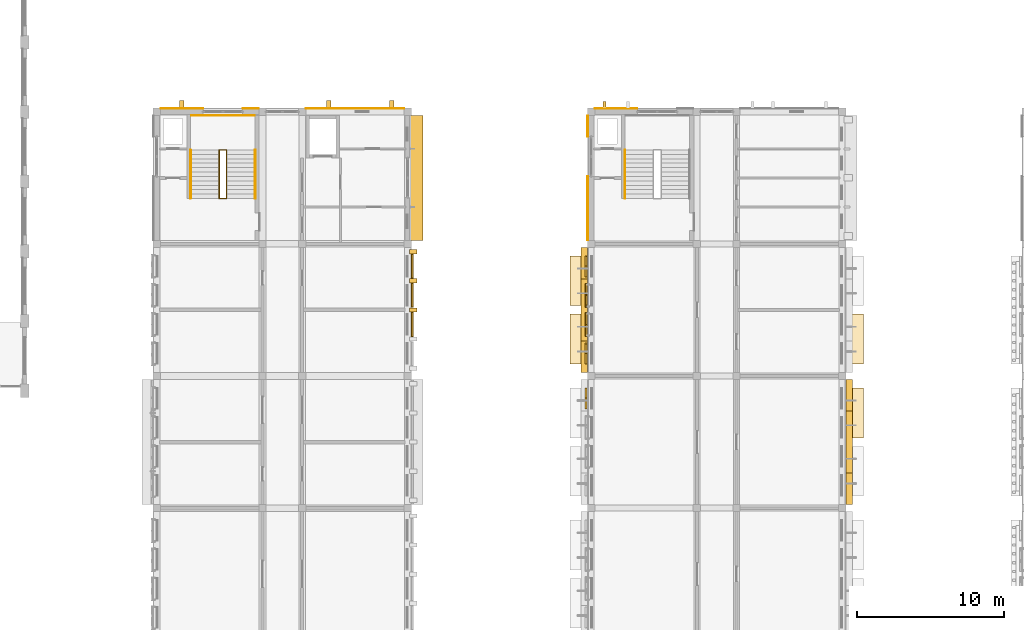
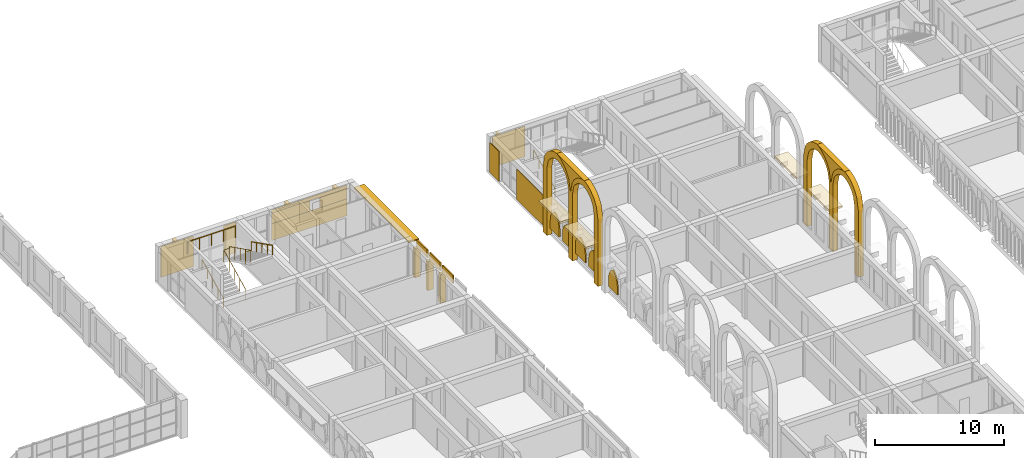
# One storey, part 60 of 70: 27 coverings, 6 shading devices, 5 railings.
"""IFC4 building model written with IfcOpenShell, lengths in metres."""

from ifc_helpers import new_model, si_unit, direction, frame, origin, origin_2d, place, context, subcontext, project, spatial, polyline, rectangle, circle, outline, extrude, material, layer, layer_set, type_object, element, save


model = new_model("IFC4")

# Units and contexts
model_context = context("Model", 3, precision=1e-05, world=origin(), true_north=direction((0.0, 1.0)))
body_context = subcontext(model_context, "Body", "Model", "MODEL_VIEW")
ifc_project = project(units=[si_unit("LENGTHUNIT", "METRE"), si_unit("AREAUNIT", "SQUARE_METRE"), si_unit("VOLUMEUNIT", "CUBIC_METRE"), si_unit("PLANEANGLEUNIT", "RADIAN"), si_unit("MASSUNIT", "GRAM", prefix="KILO")], contexts=[model_context])

# Site, building, storey
site_placement = place(None, origin())
site = spatial("IfcSite", under=ifc_project, at=site_placement, CompositionType="ELEMENT")
building_placement = place(site_placement, origin())
building = spatial("IfcBuilding", under=site, at=building_placement, Name="Elbe Cascade School", CompositionType="ELEMENT")
storey_placement = place(building_placement, frame((0.0, 0.0, 8.10009765625)))
storey = spatial("IfcBuildingStorey", under=building, at=storey_placement, Name="L02", CompositionType="ELEMENT", Elevation=8.10009765625)

# Railings
ifc_material_1 = material(Name="Steel S355J2H, painted", Category="steel")
railing_type_1 = type_object("IfcRailingType", Name="Bar stair guard 1100", PredefinedType="GUARDRAIL", material=ifc_material_1)
railing_1_placement = place(storey_placement, frame((73.25, 54.10009765625, 0.14990234375)))
element("IfcRailing", 1, at=railing_1_placement, inside=storey, type_object=railing_type_1, Name="Stair guard A2.N", PredefinedType="GUARDRAIL", context=body_context, shape_type="SweptSolid", body=[
    extrude(circle(Radius=0.02392578125, at=origin_2d()), frame((0.0, 0.0, 1.09619140625), z_axis=(0.0, 0.894427191, 0.4472135955), x_axis=(-1.0, 0.0, 0.0)), (0.0, 0.0, 1.0), 3.689208984375),
    extrude(circle(Radius=0.02392578125, at=origin_2d()), frame((0.0, 3.2998046875, 2.74609375), z_axis=(1.0, 0.0, 0.0), x_axis=(0.0, 1.0, 0.0)), (0.0, 0.0, 1.0), 0.5),
    extrude(circle(Radius=0.02392578125, at=origin_2d()), frame((0.5, 3.2998046875, 2.74609375), z_axis=(0.0, 0.0, 1.0), x_axis=(1.0, 0.0, 0.0)), (0.0, 0.0, 1.0), 0.150146484375),
    extrude(circle(Radius=0.02392578125, at=origin_2d()), frame((0.5, 3.2998046875, 2.89599609375), z_axis=(0.0, -0.894427191, 0.4472135955), x_axis=(1.0, 0.0, 0.0)), (0.0, 0.0, 1.0), 3.689208984375),
    extrude(circle(Radius=0.02392578125, at=origin_2d()), frame((0.5, 0.0, 4.5458984375), z_axis=(-1.0, 0.0, 0.0), x_axis=(0.0, -1.0, 0.0)), (0.0, 0.0, 1.0), 0.5),
    extrude(circle(Radius=0.02099609375, at=origin_2d()), origin(), (0.0, 0.0, 1.0), 1.072021484375),
    extrude(circle(Radius=0.02099609375, at=origin_2d()), frame((0.0, 0.824951171875, 0.41259765625)), (0.0, 0.0, 1.0), 1.072021484375),
    extrude(circle(Radius=0.02099609375, at=origin_2d()), frame((0.0, 1.64990234375, 0.824951171875)), (0.0, 0.0, 1.0), 1.072021484375),
    extrude(circle(Radius=0.02099609375, at=origin_2d()), frame((0.0, 2.474853515625, 1.2373046875)), (0.0, 0.0, 1.0), 1.072021484375),
    extrude(circle(Radius=0.02099609375, at=origin_2d()), frame((0.0, 3.2998046875, 1.64990234375)), (0.0, 0.0, 1.0), 1.072021484375),
    extrude(circle(Radius=0.02099609375, at=origin_2d()), frame((0.5, 3.2998046875, 1.64990234375)), (0.0, 0.0, 1.0), 1.072021484375),
    extrude(circle(Radius=0.02099609375, at=origin_2d()), frame((0.5, 3.2998046875, 1.800048828125)), (0.0, 0.0, 1.0), 1.072021484375),
    extrude(circle(Radius=0.02099609375, at=origin_2d()), frame((0.5, 2.474853515625, 2.21240234375)), (0.0, 0.0, 1.0), 1.072021484375),
    extrude(circle(Radius=0.02099609375, at=origin_2d()), frame((0.5, 1.64990234375, 2.625)), (0.0, 0.0, 1.0), 1.072021484375),
    extrude(circle(Radius=0.02099609375, at=origin_2d()), frame((0.5, 0.824951171875, 3.03759765625)), (0.0, 0.0, 1.0), 1.072021484375),
    extrude(circle(Radius=0.02099609375, at=origin_2d()), frame((0.5, 0.0, 3.449951171875)), (0.0, 0.0, 1.0), 1.072021484375),
    extrude(circle(Radius=0.02099609375, at=origin_2d()), frame((0.0, 0.0, 3.449951171875)), (0.0, 0.0, 1.0), 1.072021484375),
])
railing_2_placement = place(storey_placement, frame((71.360107421875, 59.760009765625, 1.7998046875)))
element("IfcRailing", 2, at=railing_2_placement, inside=storey, type_object=railing_type_1, Name="Stair guard A2.N", PredefinedType="GUARDRAIL", context=body_context, shape_type="SweptSolid", body=[
    extrude(circle(Radius=0.02392578125, at=origin_2d()), frame((0.0, 0.0, 1.09619140625), z_axis=(1.0, 0.0, 0.0), x_axis=(0.0, 1.0, 0.0)), (0.0, 0.0, 1.0), 4.27978515625),
    extrude(circle(Radius=0.02099609375, at=origin_2d()), origin(), (0.0, 0.0, 1.0), 1.072021484375),
    extrude(circle(Radius=0.02099609375, at=origin_2d()), frame((1.06982421875, 0.0, 0.0)), (0.0, 0.0, 1.0), 1.072021484375),
    extrude(circle(Radius=0.02099609375, at=origin_2d()), frame((2.139892578125, 0.0, 0.0)), (0.0, 0.0, 1.0), 1.072021484375),
    extrude(circle(Radius=0.02099609375, at=origin_2d()), frame((3.2099609375, 0.0, 0.0)), (0.0, 0.0, 1.0), 1.072021484375),
    extrude(circle(Radius=0.02099609375, at=origin_2d()), frame((4.27978515625, 0.0, 0.0)), (0.0, 0.0, 1.0), 1.072021484375),
])
ifc_material_2 = material(Name="Steel S355J2H, painted", Category="steel")
railing_type_2 = type_object("IfcRailingType", Name="Bar stair handrail 900", PredefinedType="HANDRAIL", material=ifc_material_2)
railing_3_placement = place(storey_placement, frame((71.300048828125, 54.10009765625, 0.14990234375)))
element("IfcRailing", 3, at=railing_3_placement, inside=storey, type_object=railing_type_2, Name="Stair handrail A2.N", PredefinedType="HANDRAIL", context=body_context, shape_type="SweptSolid", body=[
    extrude(circle(Radius=0.02392578125, at=origin_2d()), frame((0.0, 0.0, 0.8759765625), z_axis=(0.0, 0.894427191, 0.4472135955), x_axis=(-1.0, 0.0, 0.0)), (0.0, 0.0, 1.0), 3.689208984375),
    extrude(circle(Radius=0.02099609375, at=origin_2d()), origin(), (0.0, 0.0, 1.0), 0.851806640625),
    extrude(circle(Radius=0.02099609375, at=origin_2d()), frame((0.0, 0.824951171875, 0.41259765625)), (0.0, 0.0, 1.0), 0.851806640625),
    extrude(circle(Radius=0.02099609375, at=origin_2d()), frame((0.0, 1.64990234375, 0.824951171875)), (0.0, 0.0, 1.0), 0.851806640625),
    extrude(circle(Radius=0.02099609375, at=origin_2d()), frame((0.0, 2.474853515625, 1.2373046875)), (0.0, 0.0, 1.0), 0.851806640625),
    extrude(circle(Radius=0.02099609375, at=origin_2d()), frame((0.0, 3.2998046875, 1.64990234375)), (0.0, 0.0, 1.0), 0.851806640625),
])
railing_4_placement = place(storey_placement, frame((75.699951171875, 57.39990234375, 1.949951171875)))
element("IfcRailing", 4, at=railing_4_placement, inside=storey, type_object=railing_type_2, Name="Stair handrail A2.N", PredefinedType="HANDRAIL", context=body_context, shape_type="SweptSolid", body=[
    extrude(circle(Radius=0.02392578125, at=origin_2d()), frame((0.0, 0.0, 0.8759765625), z_axis=(0.0, -0.894427191, 0.4472135955), x_axis=(1.0, 0.0, 0.0)), (0.0, 0.0, 1.0), 3.689208984375),
    extrude(circle(Radius=0.02099609375, at=origin_2d()), origin(), (0.0, 0.0, 1.0), 0.851806640625),
    extrude(circle(Radius=0.02099609375, at=origin_2d()), frame((0.0, -0.824951171875, 0.41259765625)), (0.0, 0.0, 1.0), 0.851806640625),
    extrude(circle(Radius=0.02099609375, at=origin_2d()), frame((0.0, -1.64990234375, 0.824951171875)), (0.0, 0.0, 1.0), 0.851806640625),
    extrude(circle(Radius=0.02099609375, at=origin_2d()), frame((0.0, -2.474853515625, 1.2373046875)), (0.0, 0.0, 1.0), 0.851806640625),
    extrude(circle(Radius=0.02099609375, at=origin_2d()), frame((0.0, -3.2998046875, 1.64990234375)), (0.0, 0.0, 1.0), 0.851806640625),
])
railing_5_placement = place(storey_placement, frame((100.89990234375, 54.10009765625, 0.14990234375)))
element("IfcRailing", 5, at=railing_5_placement, inside=storey, type_object=railing_type_2, Name="Stair handrail B2.N", PredefinedType="HANDRAIL", context=body_context, shape_type="SweptSolid", body=[
    extrude(circle(Radius=0.02392578125, at=origin_2d()), frame((0.0, 0.0, 0.8759765625), z_axis=(0.0, 0.894427191, 0.4472135955), x_axis=(-1.0, 0.0, 0.0)), (0.0, 0.0, 1.0), 3.689208984375),
    extrude(circle(Radius=0.02099609375, at=origin_2d()), origin(), (0.0, 0.0, 1.0), 0.851806640625),
    extrude(circle(Radius=0.02099609375, at=origin_2d()), frame((0.0, 0.824951171875, 0.41259765625)), (0.0, 0.0, 1.0), 0.851806640625),
    extrude(circle(Radius=0.02099609375, at=origin_2d()), frame((0.0, 1.64990234375, 0.824951171875)), (0.0, 0.0, 1.0), 0.851806640625),
    extrude(circle(Radius=0.02099609375, at=origin_2d()), frame((0.0, 2.474853515625, 1.2373046875)), (0.0, 0.0, 1.0), 0.851806640625),
    extrude(circle(Radius=0.02099609375, at=origin_2d()), frame((0.0, 3.2998046875, 1.64990234375)), (0.0, 0.0, 1.0), 0.851806640625),
])

# Shading devices
ifc_material_3 = material(Name="Precast concrete C30/37", Category="concrete")
ifc_layer_1 = layer(ifc_material_3, 0.1201171875)
ifc_layer_set_1 = layer_set([ifc_layer_1], Name="Precast concrete C30/37")
shading_device_type_1 = type_object("IfcShadingDeviceType", Name="Bars envelope Chhajja eave, precast concrete, 900 x 120", PredefinedType="USERDEFINED", material=ifc_layer_set_1)
shading_device_1_placement = place(storey_placement, frame((86.669921875, 55.5, 2.729736328125), z_axis=(0.0, 0.0, 1.0), x_axis=(0.0, 1.0, 0.0)))
element("IfcShadingDevice", 6, at=shading_device_1_placement, inside=storey, type_object=shading_device_type_1, Name="Chhajja eave SD2 A.L02.e6", ObjectType="CHHAJJA", PredefinedType="USERDEFINED", context=body_context, shape_type="SweptSolid", body=[
    extrude(rectangle(XDim=8.5, YDim=0.89990234375, at=origin_2d()), origin(), (0.0, 0.0, 1.0), 0.1201171875),
])
ifc_material_4 = material(Name="Precast concrete C40/50", Category="concrete")
ifc_layer_2 = layer(ifc_material_4, 0.10009765625)
ifc_layer_set_2 = layer_set([ifc_layer_2], Name="Precast concrete C40/50")
shading_device_type_2 = type_object("IfcShadingDeviceType", Name="Bars envelope Jali screen 1400 x 1940, pointed arch rise 1200, pierced precast concrete", PredefinedType="USERDEFINED", material=ifc_layer_set_2)
shading_device_2_placement = place(storey_placement, frame((98.199951171875, 39.77001953125, 1.33984375), z_axis=(-1.0, 0.0, 0.0), x_axis=(0.0, 0.17792317593, 0.984044380842)))
element("IfcShadingDevice", 7, at=shading_device_2_placement, inside=storey, type_object=shading_device_type_2, Name="Jali screen SD5 B.L02.w4.4", ObjectType="JALI", PredefinedType="USERDEFINED", context=body_context, shape_type="SweptSolid", body=[
    extrude(outline(polyline([(0.0, 0.0), (0.49123641871346896, 0.0), (0.6927805522414701, 0.052626805310662106), (0.8431090177286255, 0.11426571806572286), (0.9656124771118364, 0.18118371597428135), (1.069333371826684, 0.25124965415180983), (1.1586395539315395, 0.3239218888517511), (1.236937894644108, 0.3988325294290419), (1.305342743464475, 0.47528389408648153), (1.26808313808694, 0.5710883451184476), (1.2209300408172035, 0.6684335202305626), (1.1627256638798062, 0.7677768560098606), (1.0901500126077905, 0.8699667335217378), (0.9987917966674117, 0.9753045513025852), (0.8796085746230882, 1.0859214542369302), (0.7092096845379191, 1.2055504646156736), (0.24907507099190854, 1.377566035094913), (-0.4791081610228598, 1.5092274477521288), (-0.7281832320147683, 0.13166141265721568), (0.0, 0.0)])), origin(), (0.0, 0.0, -1.0), 0.10009765625),
])
shading_device_3_placement = place(storey_placement, frame((98.199951171875, 42.830078125, 1.33984375), z_axis=(-1.0, 0.0, 0.0), x_axis=(0.0, 0.17792317593, 0.984044380842)))
element("IfcShadingDevice", 8, at=shading_device_3_placement, inside=storey, type_object=shading_device_type_2, Name="Jali screen SD5 B.L02.w5.1", ObjectType="JALI", PredefinedType="USERDEFINED", context=body_context, shape_type="SweptSolid", body=[
    extrude(outline(polyline([(0.0, 0.0), (0.49123641871346896, 0.0), (0.6927371139660965, 0.05238656010049558), (0.8431090177286255, 0.11426571806572286), (0.9655690388364628, 0.18094347076411482), (1.069333371826684, 0.25124965415180983), (1.1586395539315395, 0.3239218888517511), (1.2368944563687345, 0.3985922842188754), (1.305342743464475, 0.47528389408648153), (1.2680396998115664, 0.5708480999082811), (1.2209300408172035, 0.6684335202305626), (1.1627256638798062, 0.7677768560098606), (1.090106574332417, 0.8697264883115714), (0.9987917966674117, 0.9753045513025852), (0.8795651363477146, 1.0856812090267636), (0.7092096845379191, 1.2055504646156736), (0.24907507099190854, 1.377566035094913), (-0.4791081610228598, 1.5092274477521288), (-0.7281832320147683, 0.13166141265721568), (0.0, 0.0)])), origin(), (0.0, 0.0, -1.0), 0.10009765625),
])
shading_device_4_placement = place(storey_placement, frame((98.199951171875, 48.77001953125, 1.33984375), z_axis=(-1.0, 0.0, 0.0), x_axis=(0.0, 0.17792317593, 0.984044380842)))
element("IfcShadingDevice", 9, at=shading_device_4_placement, inside=storey, type_object=shading_device_type_2, Name="Jali screen SD5 B.L02.w5.4", ObjectType="JALI", PredefinedType="USERDEFINED", context=body_context, shape_type="SweptSolid", body=[
    extrude(outline(polyline([(0.0, 0.0), (0.49123641871346896, 0.0), (0.6927805522414701, 0.052626805310662106), (0.8431090177286255, 0.11426571806572286), (0.9656124771118364, 0.18118371597428135), (1.069333371826684, 0.25124965415180983), (1.1586395539315395, 0.3239218888517511), (1.236937894644108, 0.3988325294290419), (1.305342743464475, 0.47528389408648153), (1.26808313808694, 0.5710883451184476), (1.2209300408172035, 0.6684335202305626), (1.1627256638798062, 0.7677768560098606), (1.0901500126077905, 0.8699667335217378), (0.9987917966674117, 0.9753045513025852), (0.8796085746230882, 1.0859214542369302), (0.7092096845379191, 1.2055504646156736), (0.24907507099190854, 1.377566035094913), (-0.4791081610228598, 1.5092274477521288), (-0.7281832320147683, 0.13166141265721568), (0.0, 0.0)])), origin(), (0.0, 0.0, -1.0), 0.10009765625),
])
ifc_material_5 = material(Name="Precast concrete C40/50", Category="concrete")
ifc_layer_3 = layer(ifc_material_5, 0.10009765625)
ifc_layer_set_3 = layer_set([ifc_layer_3], Name="Precast concrete C40/50")
shading_device_type_3 = type_object("IfcShadingDeviceType", Name="Bars envelope Jali screen 1600 x 1940, pointed arch rise 1200, pierced precast concrete", PredefinedType="USERDEFINED", material=ifc_layer_set_3)
for number, where, z_axis, x_axis, name in (
    (10, (98.199951171875, 44.7099609375, 1.33984375), (-1.0, 0.0, 0.0), (0.0, 0.196300278283, 0.98054382908), "Jali screen SD4 B.L02.w5.2"),
    (11, (98.199951171875, 46.68994140625, 1.33984375), (-1.0, 0.0, 0.0), (0.0, 0.196300278283, 0.98054382908), "Jali screen SD4 B.L02.w5.3"),
):
    element("IfcShadingDevice", number, at=place(storey_placement, frame(where, z_axis=z_axis, x_axis=x_axis)), inside=storey, type_object=shading_device_type_3, Name=name, ObjectType="JALI", PredefinedType="USERDEFINED", context=body_context, shape_type="SweptSolid", body=[
        extrude(outline(polyline([(0.0, 0.0), (0.509921112317134, 0.0), (0.7186409460062186, 0.06005009918221829), (0.8735458233318658, 0.1311226852889124), (0.9985268777485877, 0.20818588047405348), (1.102872417131342, 0.2891312241218946), (1.1919448840573539, 0.37338315020117196), (1.268281725197354, 0.45993570394643946), (1.3336545243794973, 0.5489321924158467), (1.3075801207519657, 0.6562359822289878), (1.270445825421322, 0.7655049255997259), (1.220671754049922, 0.877553277802997), (1.1555287604765243, 0.9924294312711612), (1.069846101614414, 1.1116665143685687), (0.9542396198433787, 1.2368942065444228), (0.7847223319636507, 1.37266560447821), (0.31409961520112845, 1.5689658827607584), (-0.41149324269448634, 1.7142261716949392), (-0.7255928578956148, 0.1452602889341807), (0.0, 0.0)])), origin(), (0.0, 0.0, -1.0), 0.10009765625),
    ])

# Coverings
ifc_material_6 = material(Name="Precast concrete C40/50", Category="concrete")
covering_type_1 = type_object("IfcCoveringType", Name="Bars envelope Precast concrete fin, 300 wide, 500 deep", PredefinedType="CLADDING", material=ifc_material_6)
for number, where, z_axis, x_axis, name in (
    (12, (86.469970703125, 46.5, 0.0), (0.0, 0.0, 1.0), (0.0, 1.0, 0.0), "Fin CV51 A.L02.e5.3"),
    (13, (86.469970703125, 48.47998046875, 0.0), (0.0, 0.0, 1.0), (0.0, 1.0, 0.0), "Fin CV51 A.L02.e5.4"),
    (14, (86.469970703125, 50.4599609375, 0.0), (0.0, 0.0, 1.0), (0.0, 1.0, 0.0), "Fin CV51 A.L02.e5.5"),
):
    element("IfcCovering", number, at=place(storey_placement, frame(where, z_axis=z_axis, x_axis=x_axis)), inside=storey, type_object=covering_type_1, Name=name, PredefinedType="CLADDING", context=body_context, shape_type="SweptSolid", body=[
        extrude(rectangle(XDim=0.300048828125, YDim=0.5, at=origin_2d()), origin(), (0.0, 0.0, 1.0), 2.72998046875),
    ])
ifc_material_7 = material(Name="Precast concrete C40/50", Category="concrete")
covering_type_2 = type_object("IfcCoveringType", Name="Bars envelope Precast concrete gable fin, 200 wide, 450 deep", PredefinedType="CLADDING", material=ifc_material_7)
covering_1_placement = place(storey_placement, frame((99.5, 60.485107421875, 0.0), z_axis=(0.0, 0.0, 1.0), x_axis=(1.0, 0.0, 0.0)))
element("IfcCovering", 15, at=covering_1_placement, inside=storey, type_object=covering_type_2, Name="Fin CV57 B.L02.n.1", PredefinedType="CLADDING", context=body_context, shape_type="SweptSolid", body=[
    extrude(rectangle(XDim=0.199951171875, YDim=0.449951171875, at=origin_2d()), origin(), (0.0, 0.0, 1.0), 2.89990234375),
])
ifc_material_8 = material(Name="Precast concrete C40/50", Category="concrete")
covering_type_3 = type_object("IfcCoveringType", Name="Bars envelope Precast concrete gable fin, 300 wide, 500 deep", PredefinedType="CLADDING", material=ifc_material_8)
for number, where, z_axis, x_axis, name in (
    (16, (70.699951171875, 60.510009765625, 0.0), (0.0, 0.0, 1.0), (1.0, 0.0, 0.0), "Fin CV50 A.L02.n.1"),
    (17, (80.699951171875, 60.510009765625, 0.0), (0.0, 0.0, 1.0), (1.0, 0.0, 0.0), "Fin CV50 A.L02.n.2"),
    (18, (85.0, 60.510009765625, 0.0), (0.0, 0.0, 1.0), (1.0, 0.0, 0.0), "Fin CV50 A.L02.n.3"),
):
    element("IfcCovering", number, at=place(storey_placement, frame(where, z_axis=z_axis, x_axis=x_axis)), inside=storey, type_object=covering_type_3, Name=name, PredefinedType="CLADDING", context=body_context, shape_type="SweptSolid", body=[
        extrude(rectangle(XDim=0.300048828125, YDim=0.5, at=origin_2d()), origin(), (0.0, 0.0, 1.0), 2.89990234375),
    ])
ifc_material_9 = material(Name="Sandstone - red", Category="masonry")
covering_type_4 = type_object("IfcCoveringType", Name="Bars envelope Sandstone arch frame double, 8500 wide, 450 deep", PredefinedType="CLADDING", material=ifc_material_9)
covering_2_placement = place(storey_placement, frame((97.89990234375, 42.25, 0.0), z_axis=(-1.0, 0.0, 0.0), x_axis=(0.0, 0.0, 1.0)))
element("IfcCovering", 19, at=covering_2_placement, inside=storey, type_object=covering_type_4, Name="Arch frame CV58 B.L02.w5", PredefinedType="CLADDING", context=body_context, shape_type="SweptSolid", body=[
    extrude(outline(polyline([(0.0, 0.0), (6.2998046875, 0.0), (7.401611328125, 0.265625), (7.81201171875, 0.53125), (8.093994140625, 0.796875), (8.302001953125, 1.0625), (8.458251953125, 1.328125), (8.572998046875, 1.59375), (8.65234375, 1.859375), (8.699951171875, 2.125), (8.65234375, 2.390625), (8.572998046875, 2.65625), (8.458251953125, 2.921875), (8.302001953125, 3.1875), (8.093994140625, 3.453125), (7.81201171875, 3.71875), (7.401611328125, 3.984375), (6.2998046875, 4.25), (7.401611328125, 4.515625), (7.81201171875, 4.78125), (8.093994140625, 5.046875), (8.302001953125, 5.3125), (8.458251953125, 5.578125), (8.572998046875, 5.84375), (8.65234375, 6.109375), (8.699951171875, 6.375), (8.65234375, 6.640625), (8.572998046875, 6.90625), (8.458251953125, 7.171875), (8.302001953125, 7.4375), (8.093994140625, 7.703125), (7.81201171875, 7.96875), (7.401611328125, 8.234375), (6.2998046875, 8.5), (0.0, 8.5), (0.0, 7.919921875), (6.2998046875, 7.919921875), (7.152099609375, 7.708740234375), (7.467529296875, 7.49755859375), (7.6826171875, 7.2861328125), (7.839599609375, 7.074951171875), (7.955078125, 6.86376953125), (8.03759765625, 6.652587890625), (8.091796875, 6.441162109375), (8.119873046875, 6.22998046875), (8.091796875, 6.018798828125), (8.03759765625, 5.8076171875), (7.955078125, 5.59619140625), (7.839599609375, 5.385009765625), (7.6826171875, 5.173583984375), (7.467529296875, 4.96240234375), (7.152099609375, 4.751220703125), (6.2998046875, 4.5400390625), (0.0, 4.5400390625), (0.0, 3.9599609375), (6.2998046875, 3.9599609375), (7.152099609375, 3.748779296875), (7.467529296875, 3.53759765625), (7.6826171875, 3.326171875), (7.839599609375, 3.114990234375), (7.955078125, 2.90380859375), (8.03759765625, 2.6923828125), (8.091796875, 2.481201171875), (8.119873046875, 2.27001953125), (8.091796875, 2.05859375), (8.03759765625, 1.847412109375), (7.955078125, 1.63623046875), (7.839599609375, 1.425048828125), (7.6826171875, 1.213623046875), (7.467529296875, 1.00244140625), (7.152099609375, 0.791259765625), (6.2998046875, 0.580078125), (0.0, 0.580078125), (0.0, 0.0)])), origin(), (0.0, 0.0, -1.0), 0.449951171875),
])
covering_3_placement = place(storey_placement, frame((116.39990234375, 33.830078125, 0.0), z_axis=(1.0, 0.0, 0.0), x_axis=(0.0, 0.0, 1.0)))
element("IfcCovering", 20, at=covering_3_placement, inside=storey, type_object=covering_type_4, Name="Arch frame CV58 B.L02.e4", PredefinedType="CLADDING", context=body_context, shape_type="SweptSolid", body=[
    extrude(outline(polyline([(0.0, 0.0), (6.2998046875, 0.0), (7.152099609375, -0.211181640625), (7.467529296875, -0.42236328125), (7.6826171875, -0.633544921875), (7.839599609375, -0.844970703125), (7.955078125, -1.05615234375), (8.03759765625, -1.267333984375), (8.091796875, -1.478515625), (8.119873046875, -1.68994140625), (8.091796875, -1.901123046875), (8.03759765625, -2.1123046875), (7.955078125, -2.32373046875), (7.839599609375, -2.534912109375), (7.6826171875, -2.74609375), (7.467529296875, -2.95751953125), (7.152099609375, -3.168701171875), (6.2998046875, -3.3798828125), (0.0, -3.3798828125), (0.0, -3.9599609375), (6.2998046875, -3.9599609375), (7.152099609375, -4.171142578125), (7.467529296875, -4.38232421875), (7.6826171875, -4.593505859375), (7.839599609375, -4.804931640625), (7.955078125, -5.01611328125), (8.03759765625, -5.2275390625), (8.091796875, -5.438720703125), (8.119873046875, -5.64990234375), (8.091796875, -5.861083984375), (8.03759765625, -6.072509765625), (7.955078125, -6.28369140625), (7.839599609375, -6.494873046875), (7.6826171875, -6.7060546875), (7.467529296875, -6.91748046875), (7.152099609375, -7.128662109375), (6.2998046875, -7.33984375), (0.0, -7.33984375), (0.0, -7.919921875), (6.2998046875, -7.919921875), (7.401611328125, -7.654296875), (7.81201171875, -7.388671875), (8.093994140625, -7.123046875), (8.302001953125, -6.857421875), (8.458251953125, -6.591796875), (8.572998046875, -6.326171875), (8.65234375, -6.060546875), (8.699951171875, -5.794921875), (8.65234375, -5.529296875), (8.572998046875, -5.263671875), (8.458251953125, -4.998046875), (8.302001953125, -4.732421875), (8.093994140625, -4.466796875), (7.81201171875, -4.201171875), (7.401611328125, -3.935546875), (6.2998046875, -3.669921875), (7.401611328125, -3.404296875), (7.81201171875, -3.138671875), (8.093994140625, -2.873046875), (8.302001953125, -2.607421875), (8.458251953125, -2.341796875), (8.572998046875, -2.076171875), (8.65234375, -1.810546875), (8.699951171875, -1.544921875), (8.65234375, -1.279296875), (8.572998046875, -1.013671875), (8.458251953125, -0.748046875), (8.302001953125, -0.482421875), (8.093994140625, -0.216796875), (7.81201171875, 0.048828125), (7.401611328125, 0.314453125), (6.2998046875, 0.580078125), (0.0, 0.580078125), (0.0, 0.0)])), origin(), (0.0, 0.0, -1.0), 0.449951171875),
])
ifc_material_10 = material(Name="Sandstone - red", Category="masonry")
covering_type_5 = type_object("IfcCoveringType", Name="Bars envelope Sandstone arch spandrel, 4250 wide, 450 deep", PredefinedType="CLADDING", material=ifc_material_10)
covering_4_placement = place(storey_placement, frame((97.89990234375, 46.5, 6.2998046875), z_axis=(-1.0, 0.0, 0.0), x_axis=(0.0, -0.234366782856, 0.972148245431)))
element("IfcCovering", 21, at=covering_4_placement, inside=storey, type_object=covering_type_5, Name="Arch spandrel CV59 B.L02.w5", PredefinedType="CLADDING", context=body_context, shape_type="SweptSolid", body=[
    extrude(outline(polyline([(0.0, 0.0), (1.1333730691834654, 0.0), (1.5945967655496798, -0.16204265845893395), (1.9309791589138199, -0.3541822231146897), (2.19544726556764, -0.5636589789826831), (2.409599105612259, -0.7852660468539583), (2.583402996017424, -1.0166002517089971), (2.722792458788938, -1.2562311322266582), (2.8313276071302806, -1.5033004116142559), (1.8352687799928786, 2.628329631465795), (1.851240985043711, 2.358945155468387), (1.8363588756643723, 2.082122280601041), (1.7870623386513826, 1.7970027300710736), (1.697417851998939, 1.5021560425573424), (1.557457098737294, 1.1951790430403295), (1.3455820587653293, 0.8708648523110788), (1.00886571579129, 0.5164537553850064), (0.0, 0.0)])), origin(), (0.0, 0.0, -1.0), 0.449951171875),
])
covering_5_placement = place(storey_placement, frame((116.39990234375, 37.765625, 7.401611328125), z_axis=(1.0, 0.0, 0.0), x_axis=(0.0, 0.543354809623, 0.839503157147)))
element("IfcCovering", 22, at=covering_5_placement, inside=storey, type_object=covering_type_5, Name="Arch spandrel CV59 B.L02.e4", PredefinedType="CLADDING", context=body_context, shape_type="SweptSolid", body=[
    extrude(outline(polyline([(0.0, 0.0), (0.4888610449301034, 2.7755575615628914e-17), (0.8699147996601779, -0.06977652096230302), (1.1888666362712244, -0.17974750171848036), (1.4643676258814988, -0.31784133883208776), (1.7050259551609652, -0.47848652302476646), (1.9159655447465072, -0.658366679726065), (2.100260747020255, -0.8554919841937122), (-0.20899719387665017, 2.71239643368101), (-0.10463515353828501, 2.4635356859143167), (-0.02691750051171382, 2.197429790381275), (0.0210814128209329, 1.9120889223396134), (0.03423766582277166, 1.6041967072188805), (0.003943071823838462, 1.2681816357407176), (-0.08845344029412289, 0.8919721044686806), (-0.2886572426121132, 0.44598605223434024), (-1.0692987746762668, -0.37567891134076503), (0.0, 0.0)])), origin(), (0.0, 0.0, -1.0), 0.449951171875),
])
ifc_material_11 = material(Name="Sandstone - red", Category="masonry")
covering_type_6 = type_object("IfcCoveringType", Name="Bars envelope Sandstone chhajja slab, 1200 deep", PredefinedType="CLADDING", material=ifc_material_11)
for number, where, z_axis, x_axis, name in (
    (23, (97.75, 44.52001953125, 3.419921875), (0.0, 0.0, 1.0), (0.0, 1.0, 0.0), "Chhajja slab CV61 B.L02.w4.1"),
    (24, (97.75, 48.47998046875, 3.419921875), (0.0, 0.0, 1.0), (0.0, 1.0, 0.0), "Chhajja slab CV61 B.L02.w4.2"),
    (25, (116.550048828125, 39.47998046875, 3.419921875), (0.0, 0.0, 1.0), (0.0, 1.0, 0.0), "Chhajja slab CV61 B.L02.e3.2"),
    (26, (116.550048828125, 44.52001953125, 3.419921875), (0.0, 0.0, 1.0), (0.0, 1.0, 0.0), "Chhajja slab CV61 B.L02.e4.1"),
):
    element("IfcCovering", number, at=place(storey_placement, frame(where, z_axis=z_axis, x_axis=x_axis)), inside=storey, type_object=covering_type_6, Name=name, PredefinedType="CLADDING", context=body_context, shape_type="SweptSolid", body=[
        extrude(rectangle(XDim=3.3798828125, YDim=1.199951171875, at=origin_2d()), origin(), (0.0, 0.0, 1.0), 0.179931640625),
    ])
ifc_material_12 = material(Name="Sandstone - red", Category="masonry")
ifc_layer_4 = layer(ifc_material_12, 0.0400390625)
ifc_layer_set_4 = layer_set([ifc_layer_4], Name="Sandstone - red")
covering_type_7 = type_object("IfcCoveringType", Name="Bars envelope Sandstone cladding, red, 40 mm", PredefinedType="CLADDING", material=ifc_layer_set_4)
covering_6_placement = place(storey_placement, frame((70.699951171875, 60.239990234375, 0.0), z_axis=(0.0, 0.0, 1.0), x_axis=(1.0, 0.0, 0.0)))
element("IfcCovering", 27, at=covering_6_placement, inside=storey, type_object=covering_type_7, Name="Sandstone cladding CV48 A.L02.n.1a.1", PredefinedType="CLADDING", context=body_context, shape_type="SweptSolid", body=[
    extrude(rectangle(XDim=2.89990234375, YDim=0.0400390625, at=origin_2d()), origin(), (0.0, 0.0, 1.0), 2.89990234375),
])
covering_7_placement = place(storey_placement, frame((75.39990234375, 60.239990234375, 0.0), z_axis=(0.0, 0.0, 1.0), x_axis=(1.0, 0.0, 0.0)))
element("IfcCovering", 28, at=covering_7_placement, inside=storey, type_object=covering_type_7, Name="Sandstone cladding CV48 A.L02.n.1b.1", PredefinedType="CLADDING", context=body_context, shape_type="SweptSolid", body=[
    extrude(rectangle(XDim=1.10009765625, YDim=0.0400390625, at=origin_2d()), origin(), (0.0, 0.0, 1.0), 2.89990234375),
])
covering_8_placement = place(storey_placement, frame((82.5, 60.239990234375, -0.000244140625), z_axis=(0.0, 0.0, 1.0), x_axis=(1.0, 0.0, 0.0)))
element("IfcCovering", 29, at=covering_8_placement, inside=storey, type_object=covering_type_7, Name="Sandstone cladding CV48 A.L02.n.3.1", PredefinedType="CLADDING", context=body_context, shape_type="SweptSolid", body=[
    extrude(rectangle(XDim=6.699951171875, YDim=0.0400390625, at=origin_2d()), origin(), (0.0, 0.0, 1.0), 1.60009765625),
])
covering_9_placement = place(storey_placement, frame((80.85009765625, 60.239990234375, 1.599853515625), z_axis=(0.0, 0.0, 1.0), x_axis=(1.0, 0.0, 0.0)))
element("IfcCovering", 30, at=covering_9_placement, inside=storey, type_object=covering_type_7, Name="Sandstone cladding CV48 A.L02.n.3.2", PredefinedType="CLADDING", context=body_context, shape_type="SweptSolid", body=[
    extrude(rectangle(XDim=3.39990234375, YDim=0.0400390625, at=origin_2d()), origin(), (0.0, 0.0, 1.0), 1.0),
])
covering_10_placement = place(storey_placement, frame((84.64990234375, 60.239990234375, 1.599853515625), z_axis=(0.0, 0.0, 1.0), x_axis=(1.0, 0.0, 0.0)))
element("IfcCovering", 31, at=covering_10_placement, inside=storey, type_object=covering_type_7, Name="Sandstone cladding CV48 A.L02.n.3.3", PredefinedType="CLADDING", context=body_context, shape_type="SweptSolid", body=[
    extrude(rectangle(XDim=2.39990234375, YDim=0.0400390625, at=origin_2d()), origin(), (0.0, 0.0, 1.0), 1.0),
])
covering_11_placement = place(storey_placement, frame((82.5, 60.239990234375, 2.60009765625), z_axis=(0.0, 0.0, 1.0), x_axis=(1.0, 0.0, 0.0)))
element("IfcCovering", 32, at=covering_11_placement, inside=storey, type_object=covering_type_7, Name="Sandstone cladding CV48 A.L02.n.3.4", PredefinedType="CLADDING", context=body_context, shape_type="SweptSolid", body=[
    extrude(rectangle(XDim=6.699951171875, YDim=0.0400390625, at=origin_2d()), origin(), (0.0, 0.0, 1.0), 0.300048828125),
])
covering_12_placement = place(storey_placement, frame((98.360107421875, 53.429931640625, -0.000244140625), z_axis=(0.0, 0.0, 1.0), x_axis=(0.0, 1.0, 0.0)))
element("IfcCovering", 33, at=covering_12_placement, inside=storey, type_object=covering_type_7, Name="Sandstone cladding CV48 B.L02.w.6a.1", PredefinedType="CLADDING", context=body_context, shape_type="SweptSolid", body=[
    extrude(rectangle(XDim=4.360107421875, YDim=0.0400390625, at=origin_2d()), origin(), (0.0, 0.0, 1.0), 2.85009765625),
])
covering_13_placement = place(storey_placement, frame((98.360107421875, 59.030029296875, -0.000244140625), z_axis=(0.0, 0.0, 1.0), x_axis=(0.0, 1.0, 0.0)))
element("IfcCovering", 34, at=covering_13_placement, inside=storey, type_object=covering_type_7, Name="Sandstone cladding CV48 B.L02.w.6b.1", PredefinedType="CLADDING", context=body_context, shape_type="SweptSolid", body=[
    extrude(rectangle(XDim=1.43994140625, YDim=0.0400390625, at=origin_2d()), origin(), (0.0, 0.0, 1.0), 2.85009765625),
])
covering_14_placement = place(storey_placement, frame((100.300048828125, 60.239990234375, 0.0), z_axis=(0.0, 0.0, 1.0), x_axis=(1.0, 0.0, 0.0)))
element("IfcCovering", 35, at=covering_14_placement, inside=storey, type_object=covering_type_7, Name="Sandstone cladding CV48 B.L02.n.1a.1", PredefinedType="CLADDING", context=body_context, shape_type="SweptSolid", body=[
    extrude(rectangle(XDim=2.89990234375, YDim=0.0400390625, at=origin_2d()), origin(), (0.0, 0.0, 1.0), 2.89990234375),
])
ifc_material_13 = material(Name="Sandstone - red", Category="masonry")
covering_type_8 = type_object("IfcCoveringType", Name="Bars envelope Sandstone spandrel band, 120 deep", PredefinedType="CLADDING", material=ifc_material_13)
for number, where, z_axis, x_axis, name in (
    (36, (86.409912109375, 45.510009765625, 2.849853515625), (0.0, 0.0, 1.0), (0.0, 1.0, 0.0), "Spandrel band CV53 A.L02.e4.2"),
    (37, (86.409912109375, 47.489990234375, 2.849853515625), (0.0, 0.0, 1.0), (0.0, 1.0, 0.0), "Spandrel band CV53 A.L02.e4.3"),
    (38, (86.409912109375, 49.469970703125, 2.849853515625), (0.0, 0.0, 1.0), (0.0, 1.0, 0.0), "Spandrel band CV53 A.L02.e4.4"),
):
    element("IfcCovering", number, at=place(storey_placement, frame(where, z_axis=z_axis, x_axis=x_axis)), inside=storey, type_object=covering_type_8, Name=name, PredefinedType="CLADDING", context=body_context, shape_type="SweptSolid", body=[
        extrude(rectangle(XDim=1.639892578125, YDim=0.1201171875, at=origin_2d()), origin(), (0.0, 0.0, 1.0), 0.75),
    ])

save(model, "model.ifc")
